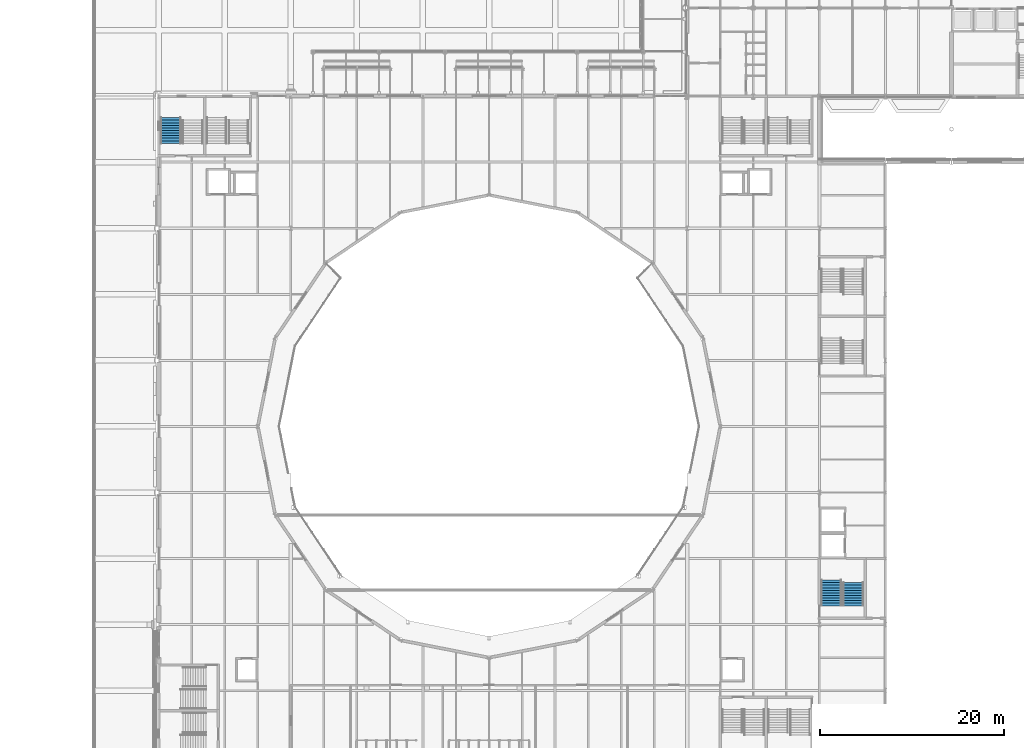
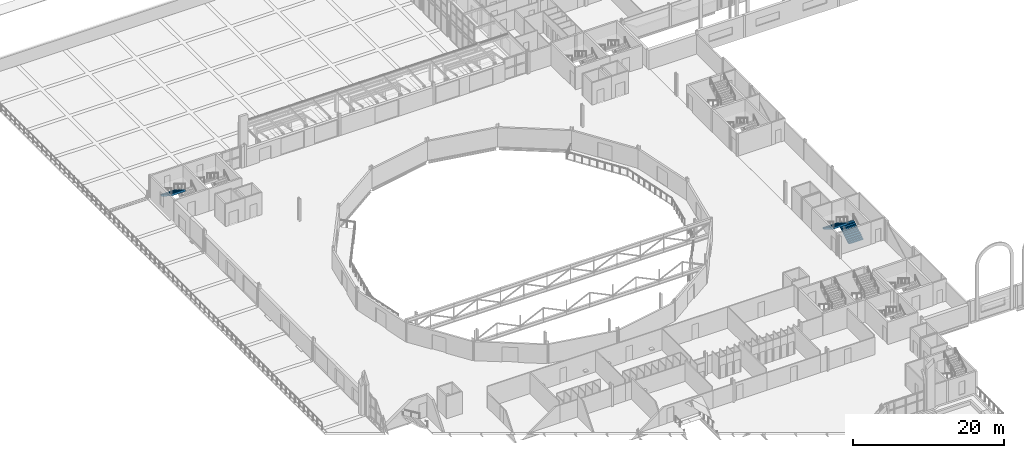
# One storey, part 94 of 143: 3 stair flights, 2 elements without a shape of their own.
"""IFC4 building model written with IfcOpenShell, lengths in metres."""

from ifc_helpers import new_model, si_unit, direction, frame, origin, place, context, subcontext, project, spatial, polyline, outline, extrude, material, type_object, element, aggregate, save


model = new_model("IFC4")

# Units and contexts
model_context = context("Model", 3, precision=1e-05, world=origin(), true_north=direction((0.0, 1.0)))
body_context = subcontext(model_context, "Body", "Model", "MODEL_VIEW")
ifc_project = project(units=[si_unit("LENGTHUNIT", "METRE"), si_unit("AREAUNIT", "SQUARE_METRE"), si_unit("VOLUMEUNIT", "CUBIC_METRE"), si_unit("PLANEANGLEUNIT", "RADIAN"), si_unit("MASSUNIT", "GRAM", prefix="KILO")], contexts=[model_context])

# Site, building, storey
site_placement = place(None, origin())
site = spatial("IfcSite", under=ifc_project, at=site_placement, CompositionType="ELEMENT")
building_placement = place(site_placement, origin())
building = spatial("IfcBuilding", under=site, at=building_placement, Name="Kupolbacken Congress Centre", CompositionType="ELEMENT")
storey_placement = place(building_placement, frame((0.0, 0.0, 7.199951171875)))
storey = spatial("IfcBuildingStorey", under=building, at=storey_placement, Name="L02", CompositionType="ELEMENT", Elevation=7.199951171875)

# Stair, stair flight
ifc_material_1 = material(Name="Concrete C30/37", Category="concrete")
stair_type = type_object("IfcStairType", Name="ST13 stair 2200", PredefinedType="TWO_STRAIGHT_RUN_STAIR", material=ifc_material_1)
stair_1_placement = place(storey_placement, origin())
stair_1 = element("IfcStair", 1, at=stair_1_placement, inside=storey, type_object=stair_type, Name="C/stair/LS3/L02", PredefinedType="NOTDEFINED")
ifc_material_2 = material(Name="Concrete C30/37", Category="concrete")
stair_flight_type_1 = type_object("IfcStairFlightType", Name="FL13 stair flight 2200 x 10 risers", PredefinedType="STRAIGHT", material=ifc_material_2)
stair_flight_1_placement = place(storey_placement, frame((82.89990234375, 66.85498046875, 0.0), z_axis=(0.0, 0.0, 1.0), x_axis=(0.0, 1.0, 0.0)))
stair_flight_1 = element("IfcStairFlight", 2, at=stair_flight_1_placement, type_object=stair_flight_type_1, Name="LS3 flight 1", NumberOfRisers=10, NumberOfTreads=9, PredefinedType="STRAIGHT", RiserHeight=0.171428571, TreadLength=0.28, context=body_context, shape_type="SweptSolid", body=[
    extrude(outline(polyline([(0.0, 0.0), (0.0, 0.0009765625), (0.0, 0.002197265625), (0.0, 0.003173828125), (0.0, 0.004150390625), (0.0, 0.00537109375), (0.0, 0.00634765625), (0.0, 0.007568359375), (0.0, 0.008544921875), (0.0, 0.009521484375), (0.0, 0.0107421875), (0.0, 0.01171875), (0.0, 0.0126953125), (0.0, 0.013916015625), (0.0, 0.014892578125), (0.0, 0.015869140625), (0.0, 0.01708984375), (0.0, 0.01806640625), (0.0, 0.019287109375), (0.0, 0.020263671875), (0.0, 0.021240234375), (0.0, 0.0224609375), (0.0, 0.0234375), (0.0, 0.0244140625), (0.0, 0.025634765625), (0.0, 0.026611328125), (0.0, 0.027587890625), (0.0, 0.02880859375), (0.0, 0.02978515625), (0.0, 0.03076171875), (0.0, 0.031982421875), (0.0, 0.032958984375), (0.0, 0.0341796875), (0.0, 0.03515625), (0.0, 0.0361328125), (0.0, 0.037353515625), (0.0, 0.038330078125), (0.0, 0.039306640625), (0.0, 0.04052734375), (0.0, 0.04150390625), (0.0, 0.04248046875), (0.0, 0.043701171875), (0.0, 0.044677734375), (0.0, 0.0458984375), (0.0, 0.046875), (0.0, 0.0478515625), (0.0, 0.049072265625), (0.0, 0.050048828125), (0.0, 0.051025390625), (0.0, 0.05224609375), (0.0, 0.05322265625), (0.0, 0.05419921875), (0.0, 0.055419921875), (0.0, 0.056396484375), (0.0, 0.0576171875), (0.0, 0.05859375), (0.0, 0.0595703125), (0.0, 0.060791015625), (0.0, 0.061767578125), (0.0, 0.062744140625), (0.0, 0.06396484375), (0.0, 0.06494140625), (0.0, 0.06591796875), (0.0, 0.067138671875), (0.0, 0.068115234375), (0.0, 0.069091796875), (0.0, 0.0703125), (0.0, 0.0712890625), (0.0, 0.072509765625), (0.0, 0.073486328125), (0.0, 0.074462890625), (0.0, 0.07568359375), (0.0, 0.07666015625), (0.0, 0.07763671875), (0.0, 0.078857421875), (0.0, 0.079833984375), (0.0, 0.080810546875), (0.0, 0.08203125), (0.0, 0.0830078125), (0.0, 0.084228515625), (0.0, 0.085205078125), (0.0, 0.086181640625), (0.0, 0.08740234375), (0.0, 0.08837890625), (0.0, 0.08935546875), (0.0, 0.090576171875), (0.0, 0.091552734375), (0.0, 0.092529296875), (0.0, 0.09375), (0.0, 0.0947265625), (0.0, 0.095947265625), (0.0, 0.096923828125), (0.0, 0.097900390625), (0.0, 0.09912109375), (0.0, 0.10009765625), (0.0, 0.10107421875), (0.0, 0.102294921875), (0.0, 0.103271484375), (0.0, 0.104248046875), (0.0, 0.10546875), (0.0, 0.1064453125), (0.0, 0.107421875), (0.0, 0.108642578125), (0.0, 0.109619140625), (0.0, 0.11083984375), (0.0, 0.11181640625), (0.0, 0.11279296875), (0.0, 0.114013671875), (0.0, 0.114990234375), (0.0, 0.115966796875), (0.0, 0.1171875), (0.0, 0.1181640625), (0.0, 0.119140625), (0.0, 0.120361328125), (0.0, 0.121337890625), (0.0, 0.12255859375), (0.0, 0.12353515625), (0.0, 0.12451171875), (0.0, 0.125732421875), (0.0, 0.126708984375), (0.0, 0.127685546875), (0.0, 0.12890625), (0.0, 0.1298828125), (0.0, 0.130859375), (0.0, 0.132080078125), (0.0, 0.133056640625), (0.0, 0.13427734375), (0.0, 0.13525390625), (0.0, 0.13623046875), (0.0, 0.137451171875), (0.0, 0.138427734375), (0.0, 0.139404296875), (0.0, 0.140625), (0.0, 0.1416015625), (0.0, 0.142578125), (0.0, 0.143798828125), (0.0, 0.144775390625), (0.0, 0.145751953125), (0.0, 0.14697265625), (0.0, 0.14794921875), (0.0, 0.149169921875), (0.0, 0.150146484375), (0.0, 0.151123046875), (0.0, 0.15234375), (0.0, 0.1533203125), (0.0, 0.154296875), (0.0, 0.155517578125), (0.0, 0.156494140625), (0.0, 0.157470703125), (0.0, 0.15869140625), (0.0, 0.15966796875), (0.0, 0.160888671875), (0.0, 0.161865234375), (0.0, 0.162841796875), (0.0, 0.1640625), (0.0, 0.1650390625), (0.0, 0.166015625), (0.0, 0.167236328125), (0.0, 0.168212890625), (0.0, 0.169189453125), (0.0, 0.17041015625), (0.0, 0.17138671875), (0.280029296875, 0.17138671875), (0.280029296875, 0.3427734375), (0.56005859375, 0.3427734375), (0.56005859375, 0.514404296875), (0.840087890625, 0.514404296875), (0.840087890625, 0.685791015625), (1.1201171875, 0.685791015625), (1.1201171875, 0.857177734375), (1.39990234375, 0.857177734375), (1.39990234375, 1.028564453125), (1.679931640625, 1.028564453125), (1.679931640625, 1.199951171875), (1.9599609375, 1.199951171875), (1.9599609375, 1.371337890625), (2.239990234375, 1.371337890625), (2.239990234375, 1.54296875), (2.52001953125, 1.54296875), (2.52001953125, 1.71435546875), (2.52197265625, 1.71435546875), (2.52197265625, 1.712158203125), (2.52197265625, 1.7099609375), (2.52197265625, 1.707763671875), (2.52197265625, 1.70556640625), (2.52197265625, 1.70361328125), (2.52197265625, 1.701416015625), (2.52197265625, 1.69921875), (2.52197265625, 1.697021484375), (2.52197265625, 1.69482421875), (2.52197265625, 1.692626953125), (2.52197265625, 1.690673828125), (2.52197265625, 1.6884765625), (2.52197265625, 1.686279296875), (2.52197265625, 1.68408203125), (2.52197265625, 1.681884765625), (2.52197265625, 1.6796875), (2.52197265625, 1.677734375), (2.52197265625, 1.675537109375), (2.52197265625, 1.67333984375), (2.52197265625, 1.671142578125), (2.52197265625, 1.6689453125), (2.52197265625, 1.666748046875), (2.52197265625, 1.664794921875), (2.52197265625, 1.66259765625), (2.52197265625, 1.660400390625), (2.52197265625, 1.658203125), (2.52197265625, 1.656005859375), (2.52197265625, 1.65380859375), (2.52197265625, 1.65185546875), (2.52197265625, 1.649658203125), (2.52197265625, 1.6474609375), (2.52197265625, 1.645263671875), (2.52197265625, 1.64306640625), (2.52197265625, 1.640869140625), (2.52197265625, 1.638916015625), (2.52197265625, 1.63671875), (2.52197265625, 1.634521484375), (2.52197265625, 1.63232421875), (2.52197265625, 1.630126953125), (2.52197265625, 1.6279296875), (2.52197265625, 1.6259765625), (2.52197265625, 1.623779296875), (2.52197265625, 1.62158203125), (2.52197265625, 1.619384765625), (2.52197265625, 1.6171875), (2.52197265625, 1.614990234375), (2.52197265625, 1.613037109375), (2.52197265625, 1.61083984375), (2.52197265625, 1.608642578125), (2.52197265625, 1.6064453125), (2.52197265625, 1.604248046875), (2.52197265625, 1.60205078125), (2.52197265625, 1.60009765625), (2.52197265625, 1.597900390625), (2.52197265625, 1.595703125), (2.52197265625, 1.593505859375), (2.52197265625, 1.59130859375), (2.52197265625, 1.589111328125), (2.52197265625, 1.587158203125), (2.52197265625, 1.5849609375), (2.52197265625, 1.582763671875), (2.52197265625, 1.58056640625), (2.52197265625, 1.578369140625), (2.52197265625, 1.576171875), (2.52197265625, 1.57421875), (2.52197265625, 1.572021484375), (2.52197265625, 1.56982421875), (2.52197265625, 1.567626953125), (2.52197265625, 1.5654296875), (2.52197265625, 1.563232421875), (2.52197265625, 1.561279296875), (2.52197265625, 1.55908203125), (2.52197265625, 1.556884765625), (2.52197265625, 1.5546875), (2.52197265625, 1.552490234375), (2.52197265625, 1.55029296875), (2.52197265625, 1.54833984375), (2.52197265625, 1.546142578125), (2.52197265625, 1.5439453125), (2.52197265625, 1.541748046875), (2.52197265625, 1.53955078125), (2.52197265625, 1.537353515625), (2.52197265625, 1.535400390625), (2.52197265625, 1.533203125), (2.52197265625, 1.531005859375), (2.52197265625, 1.52880859375), (2.52197265625, 1.526611328125), (2.52197265625, 1.5244140625), (2.52197265625, 1.5224609375), (2.52197265625, 1.520263671875), (2.52197265625, 1.51806640625), (2.52197265625, 1.515869140625), (2.52197265625, 1.513671875), (2.52197265625, 1.511474609375), (2.52197265625, 1.509521484375), (2.52197265625, 1.50732421875), (2.52197265625, 1.505126953125), (2.52197265625, 1.5029296875), (2.52197265625, 1.500732421875), (2.52197265625, 1.49853515625), (2.52197265625, 1.49658203125), (2.52197265625, 1.494384765625), (2.52197265625, 1.4921875), (2.52197265625, 1.489990234375), (2.52197265625, 1.48779296875), (2.52197265625, 1.485595703125), (2.52197265625, 1.483642578125), (2.52197265625, 1.4814453125), (2.52197265625, 1.479248046875), (2.52197265625, 1.47705078125), (2.52197265625, 1.474853515625), (2.52197265625, 1.47265625), (2.52197265625, 1.470703125), (2.52197265625, 1.468505859375), (2.52197265625, 1.46630859375), (2.52197265625, 1.464111328125), (2.52197265625, 1.4619140625), (2.52197265625, 1.459716796875), (2.52197265625, 1.457763671875), (2.52197265625, 1.45556640625), (2.52197265625, 1.453369140625), (2.52197265625, 1.451171875), (2.52197265625, 1.448974609375), (2.52197265625, 1.44677734375), (2.52197265625, 1.44482421875), (2.52197265625, 1.442626953125), (2.52197265625, 1.4404296875), (2.52197265625, 1.438232421875), (2.52197265625, 1.43603515625), (2.52197265625, 1.433837890625), (2.52197265625, 1.431884765625), (2.52197265625, 1.4296875), (2.52197265625, 1.427490234375), (2.52197265625, 1.42529296875), (2.52197265625, 1.423095703125), (2.52197265625, 1.4208984375), (2.52197265625, 1.4189453125), (2.52197265625, 1.416748046875), (2.52197265625, 1.41455078125), (2.52197265625, 1.412353515625), (2.52197265625, 1.41015625), (2.52197265625, 1.407958984375), (2.52197265625, 1.406005859375), (2.52197265625, 1.40380859375), (2.52197265625, 1.401611328125), (2.52197265625, 1.3994140625), (2.52197265625, 1.397216796875), (2.52197265625, 1.39501953125), (2.52197265625, 1.39306640625), (2.52197265625, 1.390869140625), (2.52197265625, 1.388671875), (2.52197265625, 1.386474609375), (2.52197265625, 1.38427734375), (2.52197265625, 1.382080078125), (2.52197265625, 1.380126953125), (2.52197265625, 1.3779296875), (2.52197265625, 1.375732421875), (2.52197265625, 1.37353515625), (2.52197265625, 1.371337890625), (2.52197265625, 1.369140625), (2.52197265625, 1.3671875), (0.2890625, 0.0), (0.0, 0.0)])), frame((0.0, 1.10009765625, 0.0), z_axis=(0.0, -1.0, 0.0), x_axis=(1.0, 0.0, 0.0)), (0.0, 0.0, 1.0), 2.199951171875),
])

stair_2_placement = place(storey_placement, origin())
stair_2 = element("IfcStair", 3, at=stair_2_placement, inside=storey, type_object=stair_type, Name="C/stair/PS1NW/L02", PredefinedType="NOTDEFINED")
ifc_material_3 = material(Name="Concrete C30/37", Category="concrete")
stair_flight_type_2 = type_object("IfcStairFlightType", Name="FL14 stair flight 2200 x 11 risers", PredefinedType="STRAIGHT", material=ifc_material_3)
stair_flight_2_placement = place(storey_placement, frame((8.5, 120.054931640625, 1.71435546875), z_axis=(0.0, 0.0, 1.0), x_axis=(0.0, -1.0, 0.0)))
stair_flight_2 = element("IfcStairFlight", 4, at=stair_flight_2_placement, type_object=stair_flight_type_2, Name="PS1NW flight 2", NumberOfRisers=11, NumberOfTreads=10, PredefinedType="STRAIGHT", RiserHeight=0.171428571, TreadLength=0.28, context=body_context, shape_type="SweptSolid", body=[
    extrude(outline(polyline([(0.0, 0.0), (0.0, 0.0009765625), (0.0, 0.002197265625), (0.0, 0.003173828125), (0.0, 0.004150390625), (0.0, 0.00537109375), (0.0, 0.00634765625), (0.0, 0.007568359375), (0.0, 0.008544921875), (0.0, 0.009521484375), (0.0, 0.0107421875), (0.0, 0.01171875), (0.0, 0.0126953125), (0.0, 0.013916015625), (0.0, 0.014892578125), (0.0, 0.015869140625), (0.0, 0.01708984375), (0.0, 0.01806640625), (0.0, 0.019287109375), (0.0, 0.020263671875), (0.0, 0.021240234375), (0.0, 0.0224609375), (0.0, 0.0234375), (0.0, 0.0244140625), (0.0, 0.025634765625), (0.0, 0.026611328125), (0.0, 0.027587890625), (0.0, 0.02880859375), (0.0, 0.02978515625), (0.0, 0.03076171875), (0.0, 0.031982421875), (0.0, 0.032958984375), (0.0, 0.0341796875), (0.0, 0.03515625), (0.0, 0.0361328125), (0.0, 0.037353515625), (0.0, 0.038330078125), (0.0, 0.039306640625), (0.0, 0.04052734375), (0.0, 0.04150390625), (0.0, 0.04248046875), (0.0, 0.043701171875), (0.0, 0.044677734375), (0.0, 0.0458984375), (0.0, 0.046875), (0.0, 0.0478515625), (0.0, 0.049072265625), (0.0, 0.050048828125), (0.0, 0.051025390625), (0.0, 0.05224609375), (0.0, 0.05322265625), (0.0, 0.05419921875), (0.0, 0.055419921875), (0.0, 0.056396484375), (0.0, 0.0576171875), (0.0, 0.05859375), (0.0, 0.0595703125), (0.0, 0.060791015625), (0.0, 0.061767578125), (0.0, 0.062744140625), (0.0, 0.06396484375), (0.0, 0.06494140625), (0.0, 0.06591796875), (0.0, 0.067138671875), (0.0, 0.068115234375), (0.0, 0.069091796875), (0.0, 0.0703125), (0.0, 0.0712890625), (0.0, 0.072509765625), (0.0, 0.073486328125), (0.0, 0.074462890625), (0.0, 0.07568359375), (0.0, 0.07666015625), (0.0, 0.07763671875), (0.0, 0.078857421875), (0.0, 0.079833984375), (0.0, 0.080810546875), (0.0, 0.08203125), (0.0, 0.0830078125), (0.0, 0.084228515625), (0.0, 0.085205078125), (0.0, 0.086181640625), (0.0, 0.08740234375), (0.0, 0.08837890625), (0.0, 0.08935546875), (0.0, 0.090576171875), (0.0, 0.091552734375), (0.0, 0.092529296875), (0.0, 0.09375), (0.0, 0.0947265625), (0.0, 0.095947265625), (0.0, 0.096923828125), (0.0, 0.097900390625), (0.0, 0.09912109375), (0.0, 0.10009765625), (0.0, 0.10107421875), (0.0, 0.102294921875), (0.0, 0.103271484375), (0.0, 0.104248046875), (0.0, 0.10546875), (0.0, 0.1064453125), (0.0, 0.107421875), (0.0, 0.108642578125), (0.0, 0.109619140625), (0.0, 0.11083984375), (0.0, 0.11181640625), (0.0, 0.11279296875), (0.0, 0.114013671875), (0.0, 0.114990234375), (0.0, 0.115966796875), (0.0, 0.1171875), (0.0, 0.1181640625), (0.0, 0.119140625), (0.0, 0.120361328125), (0.0, 0.121337890625), (0.0, 0.12255859375), (0.0, 0.12353515625), (0.0, 0.12451171875), (0.0, 0.125732421875), (0.0, 0.126708984375), (0.0, 0.127685546875), (0.0, 0.12890625), (0.0, 0.1298828125), (0.0, 0.130859375), (0.0, 0.132080078125), (0.0, 0.133056640625), (0.0, 0.13427734375), (0.0, 0.13525390625), (0.0, 0.13623046875), (0.0, 0.137451171875), (0.0, 0.138427734375), (0.0, 0.139404296875), (0.0, 0.140625), (0.0, 0.1416015625), (0.0, 0.142578125), (0.0, 0.143798828125), (0.0, 0.144775390625), (0.0, 0.145751953125), (0.0, 0.14697265625), (0.0, 0.14794921875), (0.0, 0.149169921875), (0.0, 0.150146484375), (0.0, 0.151123046875), (0.0, 0.15234375), (0.0, 0.1533203125), (0.0, 0.154296875), (0.0, 0.155517578125), (0.0, 0.156494140625), (0.0, 0.157470703125), (0.0, 0.15869140625), (0.0, 0.15966796875), (0.0, 0.160888671875), (0.0, 0.161865234375), (0.0, 0.162841796875), (0.0, 0.1640625), (0.0, 0.1650390625), (0.0, 0.166015625), (0.0, 0.167236328125), (0.0, 0.168212890625), (0.0, 0.169189453125), (0.0, 0.17041015625), (0.0, 0.17138671875), (0.280029296875, 0.17138671875), (0.280029296875, 0.3427734375), (0.56005859375, 0.3427734375), (0.56005859375, 0.514404296875), (0.840087890625, 0.514404296875), (0.840087890625, 0.685791015625), (1.1201171875, 0.685791015625), (1.1201171875, 0.857177734375), (1.39990234375, 0.857177734375), (1.39990234375, 1.028564453125), (1.679931640625, 1.028564453125), (1.679931640625, 1.199951171875), (1.9599609375, 1.199951171875), (1.9599609375, 1.371337890625), (2.239990234375, 1.371337890625), (2.239990234375, 1.54296875), (2.52001953125, 1.54296875), (2.52001953125, 1.71435546875), (2.800048828125, 1.71435546875), (2.800048828125, 1.8857421875), (2.802001953125, 1.8857421875), (2.802001953125, 1.883544921875), (2.802001953125, 1.88134765625), (2.802001953125, 1.879150390625), (2.802001953125, 1.877197265625), (2.802001953125, 1.875), (2.802001953125, 1.872802734375), (2.802001953125, 1.87060546875), (2.802001953125, 1.868408203125), (2.802001953125, 1.8662109375), (2.802001953125, 1.8642578125), (2.802001953125, 1.862060546875), (2.802001953125, 1.85986328125), (2.802001953125, 1.857666015625), (2.802001953125, 1.85546875), (2.802001953125, 1.853271484375), (2.802001953125, 1.851318359375), (2.802001953125, 1.84912109375), (2.802001953125, 1.846923828125), (2.802001953125, 1.8447265625), (2.802001953125, 1.842529296875), (2.802001953125, 1.84033203125), (2.802001953125, 1.83837890625), (2.802001953125, 1.836181640625), (2.802001953125, 1.833984375), (2.802001953125, 1.831787109375), (2.802001953125, 1.82958984375), (2.802001953125, 1.827392578125), (2.802001953125, 1.825439453125), (2.802001953125, 1.8232421875), (2.802001953125, 1.821044921875), (2.802001953125, 1.81884765625), (2.802001953125, 1.816650390625), (2.802001953125, 1.814453125), (2.802001953125, 1.8125), (2.802001953125, 1.810302734375), (2.802001953125, 1.80810546875), (2.802001953125, 1.805908203125), (2.802001953125, 1.8037109375), (2.802001953125, 1.801513671875), (2.802001953125, 1.799560546875), (2.802001953125, 1.79736328125), (2.802001953125, 1.795166015625), (2.802001953125, 1.79296875), (2.802001953125, 1.790771484375), (2.802001953125, 1.78857421875), (2.802001953125, 1.78662109375), (2.802001953125, 1.784423828125), (2.802001953125, 1.7822265625), (2.802001953125, 1.780029296875), (2.802001953125, 1.77783203125), (2.802001953125, 1.775634765625), (2.802001953125, 1.773681640625), (2.802001953125, 1.771484375), (2.802001953125, 1.769287109375), (2.802001953125, 1.76708984375), (2.802001953125, 1.764892578125), (2.802001953125, 1.7626953125), (2.802001953125, 1.7607421875), (2.802001953125, 1.758544921875), (2.802001953125, 1.75634765625), (2.802001953125, 1.754150390625), (2.802001953125, 1.751953125), (2.802001953125, 1.749755859375), (2.802001953125, 1.747802734375), (2.802001953125, 1.74560546875), (2.802001953125, 1.743408203125), (2.802001953125, 1.7412109375), (2.802001953125, 1.739013671875), (2.802001953125, 1.73681640625), (2.802001953125, 1.73486328125), (2.802001953125, 1.732666015625), (2.802001953125, 1.73046875), (2.802001953125, 1.728271484375), (2.802001953125, 1.72607421875), (2.802001953125, 1.723876953125), (2.802001953125, 1.721923828125), (2.802001953125, 1.7197265625), (2.802001953125, 1.717529296875), (2.802001953125, 1.71533203125), (2.802001953125, 1.713134765625), (2.802001953125, 1.7109375), (2.802001953125, 1.708984375), (2.802001953125, 1.706787109375), (2.802001953125, 1.70458984375), (2.802001953125, 1.702392578125), (2.802001953125, 1.7001953125), (2.802001953125, 1.697998046875), (2.802001953125, 1.696044921875), (2.802001953125, 1.69384765625), (2.802001953125, 1.691650390625), (2.802001953125, 1.689453125), (2.802001953125, 1.687255859375), (2.802001953125, 1.68505859375), (2.802001953125, 1.68310546875), (2.802001953125, 1.680908203125), (2.802001953125, 1.6787109375), (2.802001953125, 1.676513671875), (2.802001953125, 1.67431640625), (2.802001953125, 1.672119140625), (2.802001953125, 1.670166015625), (2.802001953125, 1.66796875), (2.802001953125, 1.665771484375), (2.802001953125, 1.66357421875), (2.802001953125, 1.661376953125), (2.802001953125, 1.6591796875), (2.802001953125, 1.6572265625), (2.802001953125, 1.655029296875), (2.802001953125, 1.65283203125), (2.802001953125, 1.650634765625), (2.802001953125, 1.6484375), (2.802001953125, 1.646240234375), (2.802001953125, 1.644287109375), (2.802001953125, 1.64208984375), (2.802001953125, 1.639892578125), (2.802001953125, 1.6376953125), (2.802001953125, 1.635498046875), (2.802001953125, 1.63330078125), (2.802001953125, 1.63134765625), (2.802001953125, 1.629150390625), (2.802001953125, 1.626953125), (2.802001953125, 1.624755859375), (2.802001953125, 1.62255859375), (2.802001953125, 1.620361328125), (2.802001953125, 1.618408203125), (2.802001953125, 1.6162109375), (2.802001953125, 1.614013671875), (2.802001953125, 1.61181640625), (2.802001953125, 1.609619140625), (2.802001953125, 1.607421875), (2.802001953125, 1.60546875), (2.802001953125, 1.603271484375), (2.802001953125, 1.60107421875), (2.802001953125, 1.598876953125), (2.802001953125, 1.5966796875), (2.802001953125, 1.594482421875), (2.802001953125, 1.592529296875), (2.802001953125, 1.59033203125), (2.802001953125, 1.588134765625), (2.802001953125, 1.5859375), (2.802001953125, 1.583740234375), (2.802001953125, 1.58154296875), (2.802001953125, 1.57958984375), (2.802001953125, 1.577392578125), (2.802001953125, 1.5751953125), (2.802001953125, 1.572998046875), (2.802001953125, 1.57080078125), (2.802001953125, 1.568603515625), (2.802001953125, 1.566650390625), (2.802001953125, 1.564453125), (2.802001953125, 1.562255859375), (2.802001953125, 1.56005859375), (2.802001953125, 1.557861328125), (2.802001953125, 1.5556640625), (2.802001953125, 1.5537109375), (2.802001953125, 1.551513671875), (2.802001953125, 1.54931640625), (2.802001953125, 1.547119140625), (2.802001953125, 1.544921875), (2.802001953125, 1.542724609375), (2.802001953125, 1.540771484375), (2.802001953125, 1.53857421875), (0.2890625, 0.0), (0.0, 0.0)])), frame((0.0, 1.10009765625, 0.0), z_axis=(0.0, -1.0, 0.0), x_axis=(1.0, 0.0, 0.0)), (0.0, 0.0, 1.0), 2.199951171875),
])
aggregate(stair_2, [stair_flight_2])

# Stair flight
stair_flight_3_placement = place(storey_placement, frame((80.5, 69.655029296875, 1.71435546875), z_axis=(0.0, 0.0, 1.0), x_axis=(0.0, -1.0, 0.0)))
stair_flight_3 = element("IfcStairFlight", 5, at=stair_flight_3_placement, type_object=stair_flight_type_2, Name="LS3 flight 2", NumberOfRisers=11, NumberOfTreads=10, PredefinedType="STRAIGHT", RiserHeight=0.171428571, TreadLength=0.28, context=body_context, shape_type="SweptSolid", body=[
    extrude(outline(polyline([(0.0, 0.0), (0.0, 0.0009765625), (0.0, 0.002197265625), (0.0, 0.003173828125), (0.0, 0.004150390625), (0.0, 0.00537109375), (0.0, 0.00634765625), (0.0, 0.007568359375), (0.0, 0.008544921875), (0.0, 0.009521484375), (0.0, 0.0107421875), (0.0, 0.01171875), (0.0, 0.0126953125), (0.0, 0.013916015625), (0.0, 0.014892578125), (0.0, 0.015869140625), (0.0, 0.01708984375), (0.0, 0.01806640625), (0.0, 0.019287109375), (0.0, 0.020263671875), (0.0, 0.021240234375), (0.0, 0.0224609375), (0.0, 0.0234375), (0.0, 0.0244140625), (0.0, 0.025634765625), (0.0, 0.026611328125), (0.0, 0.027587890625), (0.0, 0.02880859375), (0.0, 0.02978515625), (0.0, 0.03076171875), (0.0, 0.031982421875), (0.0, 0.032958984375), (0.0, 0.0341796875), (0.0, 0.03515625), (0.0, 0.0361328125), (0.0, 0.037353515625), (0.0, 0.038330078125), (0.0, 0.039306640625), (0.0, 0.04052734375), (0.0, 0.04150390625), (0.0, 0.04248046875), (0.0, 0.043701171875), (0.0, 0.044677734375), (0.0, 0.0458984375), (0.0, 0.046875), (0.0, 0.0478515625), (0.0, 0.049072265625), (0.0, 0.050048828125), (0.0, 0.051025390625), (0.0, 0.05224609375), (0.0, 0.05322265625), (0.0, 0.05419921875), (0.0, 0.055419921875), (0.0, 0.056396484375), (0.0, 0.0576171875), (0.0, 0.05859375), (0.0, 0.0595703125), (0.0, 0.060791015625), (0.0, 0.061767578125), (0.0, 0.062744140625), (0.0, 0.06396484375), (0.0, 0.06494140625), (0.0, 0.06591796875), (0.0, 0.067138671875), (0.0, 0.068115234375), (0.0, 0.069091796875), (0.0, 0.0703125), (0.0, 0.0712890625), (0.0, 0.072509765625), (0.0, 0.073486328125), (0.0, 0.074462890625), (0.0, 0.07568359375), (0.0, 0.07666015625), (0.0, 0.07763671875), (0.0, 0.078857421875), (0.0, 0.079833984375), (0.0, 0.080810546875), (0.0, 0.08203125), (0.0, 0.0830078125), (0.0, 0.084228515625), (0.0, 0.085205078125), (0.0, 0.086181640625), (0.0, 0.08740234375), (0.0, 0.08837890625), (0.0, 0.08935546875), (0.0, 0.090576171875), (0.0, 0.091552734375), (0.0, 0.092529296875), (0.0, 0.09375), (0.0, 0.0947265625), (0.0, 0.095947265625), (0.0, 0.096923828125), (0.0, 0.097900390625), (0.0, 0.09912109375), (0.0, 0.10009765625), (0.0, 0.10107421875), (0.0, 0.102294921875), (0.0, 0.103271484375), (0.0, 0.104248046875), (0.0, 0.10546875), (0.0, 0.1064453125), (0.0, 0.107421875), (0.0, 0.108642578125), (0.0, 0.109619140625), (0.0, 0.11083984375), (0.0, 0.11181640625), (0.0, 0.11279296875), (0.0, 0.114013671875), (0.0, 0.114990234375), (0.0, 0.115966796875), (0.0, 0.1171875), (0.0, 0.1181640625), (0.0, 0.119140625), (0.0, 0.120361328125), (0.0, 0.121337890625), (0.0, 0.12255859375), (0.0, 0.12353515625), (0.0, 0.12451171875), (0.0, 0.125732421875), (0.0, 0.126708984375), (0.0, 0.127685546875), (0.0, 0.12890625), (0.0, 0.1298828125), (0.0, 0.130859375), (0.0, 0.132080078125), (0.0, 0.133056640625), (0.0, 0.13427734375), (0.0, 0.13525390625), (0.0, 0.13623046875), (0.0, 0.137451171875), (0.0, 0.138427734375), (0.0, 0.139404296875), (0.0, 0.140625), (0.0, 0.1416015625), (0.0, 0.142578125), (0.0, 0.143798828125), (0.0, 0.144775390625), (0.0, 0.145751953125), (0.0, 0.14697265625), (0.0, 0.14794921875), (0.0, 0.149169921875), (0.0, 0.150146484375), (0.0, 0.151123046875), (0.0, 0.15234375), (0.0, 0.1533203125), (0.0, 0.154296875), (0.0, 0.155517578125), (0.0, 0.156494140625), (0.0, 0.157470703125), (0.0, 0.15869140625), (0.0, 0.15966796875), (0.0, 0.160888671875), (0.0, 0.161865234375), (0.0, 0.162841796875), (0.0, 0.1640625), (0.0, 0.1650390625), (0.0, 0.166015625), (0.0, 0.167236328125), (0.0, 0.168212890625), (0.0, 0.169189453125), (0.0, 0.17041015625), (0.0, 0.17138671875), (0.280029296875, 0.17138671875), (0.280029296875, 0.3427734375), (0.56005859375, 0.3427734375), (0.56005859375, 0.514404296875), (0.840087890625, 0.514404296875), (0.840087890625, 0.685791015625), (1.1201171875, 0.685791015625), (1.1201171875, 0.857177734375), (1.39990234375, 0.857177734375), (1.39990234375, 1.028564453125), (1.679931640625, 1.028564453125), (1.679931640625, 1.199951171875), (1.9599609375, 1.199951171875), (1.9599609375, 1.371337890625), (2.239990234375, 1.371337890625), (2.239990234375, 1.54296875), (2.52001953125, 1.54296875), (2.52001953125, 1.71435546875), (2.800048828125, 1.71435546875), (2.800048828125, 1.8857421875), (2.802001953125, 1.8857421875), (2.802001953125, 1.883544921875), (2.802001953125, 1.88134765625), (2.802001953125, 1.879150390625), (2.802001953125, 1.877197265625), (2.802001953125, 1.875), (2.802001953125, 1.872802734375), (2.802001953125, 1.87060546875), (2.802001953125, 1.868408203125), (2.802001953125, 1.8662109375), (2.802001953125, 1.8642578125), (2.802001953125, 1.862060546875), (2.802001953125, 1.85986328125), (2.802001953125, 1.857666015625), (2.802001953125, 1.85546875), (2.802001953125, 1.853271484375), (2.802001953125, 1.851318359375), (2.802001953125, 1.84912109375), (2.802001953125, 1.846923828125), (2.802001953125, 1.8447265625), (2.802001953125, 1.842529296875), (2.802001953125, 1.84033203125), (2.802001953125, 1.83837890625), (2.802001953125, 1.836181640625), (2.802001953125, 1.833984375), (2.802001953125, 1.831787109375), (2.802001953125, 1.82958984375), (2.802001953125, 1.827392578125), (2.802001953125, 1.825439453125), (2.802001953125, 1.8232421875), (2.802001953125, 1.821044921875), (2.802001953125, 1.81884765625), (2.802001953125, 1.816650390625), (2.802001953125, 1.814453125), (2.802001953125, 1.8125), (2.802001953125, 1.810302734375), (2.802001953125, 1.80810546875), (2.802001953125, 1.805908203125), (2.802001953125, 1.8037109375), (2.802001953125, 1.801513671875), (2.802001953125, 1.799560546875), (2.802001953125, 1.79736328125), (2.802001953125, 1.795166015625), (2.802001953125, 1.79296875), (2.802001953125, 1.790771484375), (2.802001953125, 1.78857421875), (2.802001953125, 1.78662109375), (2.802001953125, 1.784423828125), (2.802001953125, 1.7822265625), (2.802001953125, 1.780029296875), (2.802001953125, 1.77783203125), (2.802001953125, 1.775634765625), (2.802001953125, 1.773681640625), (2.802001953125, 1.771484375), (2.802001953125, 1.769287109375), (2.802001953125, 1.76708984375), (2.802001953125, 1.764892578125), (2.802001953125, 1.7626953125), (2.802001953125, 1.7607421875), (2.802001953125, 1.758544921875), (2.802001953125, 1.75634765625), (2.802001953125, 1.754150390625), (2.802001953125, 1.751953125), (2.802001953125, 1.749755859375), (2.802001953125, 1.747802734375), (2.802001953125, 1.74560546875), (2.802001953125, 1.743408203125), (2.802001953125, 1.7412109375), (2.802001953125, 1.739013671875), (2.802001953125, 1.73681640625), (2.802001953125, 1.73486328125), (2.802001953125, 1.732666015625), (2.802001953125, 1.73046875), (2.802001953125, 1.728271484375), (2.802001953125, 1.72607421875), (2.802001953125, 1.723876953125), (2.802001953125, 1.721923828125), (2.802001953125, 1.7197265625), (2.802001953125, 1.717529296875), (2.802001953125, 1.71533203125), (2.802001953125, 1.713134765625), (2.802001953125, 1.7109375), (2.802001953125, 1.708984375), (2.802001953125, 1.706787109375), (2.802001953125, 1.70458984375), (2.802001953125, 1.702392578125), (2.802001953125, 1.7001953125), (2.802001953125, 1.697998046875), (2.802001953125, 1.696044921875), (2.802001953125, 1.69384765625), (2.802001953125, 1.691650390625), (2.802001953125, 1.689453125), (2.802001953125, 1.687255859375), (2.802001953125, 1.68505859375), (2.802001953125, 1.68310546875), (2.802001953125, 1.680908203125), (2.802001953125, 1.6787109375), (2.802001953125, 1.676513671875), (2.802001953125, 1.67431640625), (2.802001953125, 1.672119140625), (2.802001953125, 1.670166015625), (2.802001953125, 1.66796875), (2.802001953125, 1.665771484375), (2.802001953125, 1.66357421875), (2.802001953125, 1.661376953125), (2.802001953125, 1.6591796875), (2.802001953125, 1.6572265625), (2.802001953125, 1.655029296875), (2.802001953125, 1.65283203125), (2.802001953125, 1.650634765625), (2.802001953125, 1.6484375), (2.802001953125, 1.646240234375), (2.802001953125, 1.644287109375), (2.802001953125, 1.64208984375), (2.802001953125, 1.639892578125), (2.802001953125, 1.6376953125), (2.802001953125, 1.635498046875), (2.802001953125, 1.63330078125), (2.802001953125, 1.63134765625), (2.802001953125, 1.629150390625), (2.802001953125, 1.626953125), (2.802001953125, 1.624755859375), (2.802001953125, 1.62255859375), (2.802001953125, 1.620361328125), (2.802001953125, 1.618408203125), (2.802001953125, 1.6162109375), (2.802001953125, 1.614013671875), (2.802001953125, 1.61181640625), (2.802001953125, 1.609619140625), (2.802001953125, 1.607421875), (2.802001953125, 1.60546875), (2.802001953125, 1.603271484375), (2.802001953125, 1.60107421875), (2.802001953125, 1.598876953125), (2.802001953125, 1.5966796875), (2.802001953125, 1.594482421875), (2.802001953125, 1.592529296875), (2.802001953125, 1.59033203125), (2.802001953125, 1.588134765625), (2.802001953125, 1.5859375), (2.802001953125, 1.583740234375), (2.802001953125, 1.58154296875), (2.802001953125, 1.57958984375), (2.802001953125, 1.577392578125), (2.802001953125, 1.5751953125), (2.802001953125, 1.572998046875), (2.802001953125, 1.57080078125), (2.802001953125, 1.568603515625), (2.802001953125, 1.566650390625), (2.802001953125, 1.564453125), (2.802001953125, 1.562255859375), (2.802001953125, 1.56005859375), (2.802001953125, 1.557861328125), (2.802001953125, 1.5556640625), (2.802001953125, 1.5537109375), (2.802001953125, 1.551513671875), (2.802001953125, 1.54931640625), (2.802001953125, 1.547119140625), (2.802001953125, 1.544921875), (2.802001953125, 1.542724609375), (2.802001953125, 1.540771484375), (2.802001953125, 1.53857421875), (0.2890625, 0.0), (0.0, 0.0)])), frame((0.0, 1.10009765625, 0.0), z_axis=(0.0, -1.0, 0.0), x_axis=(1.0, 0.0, 0.0)), (0.0, 0.0, 1.0), 2.199951171875),
])

aggregate(stair_1, [stair_flight_1, stair_flight_3])

save(model, "model.ifc")
